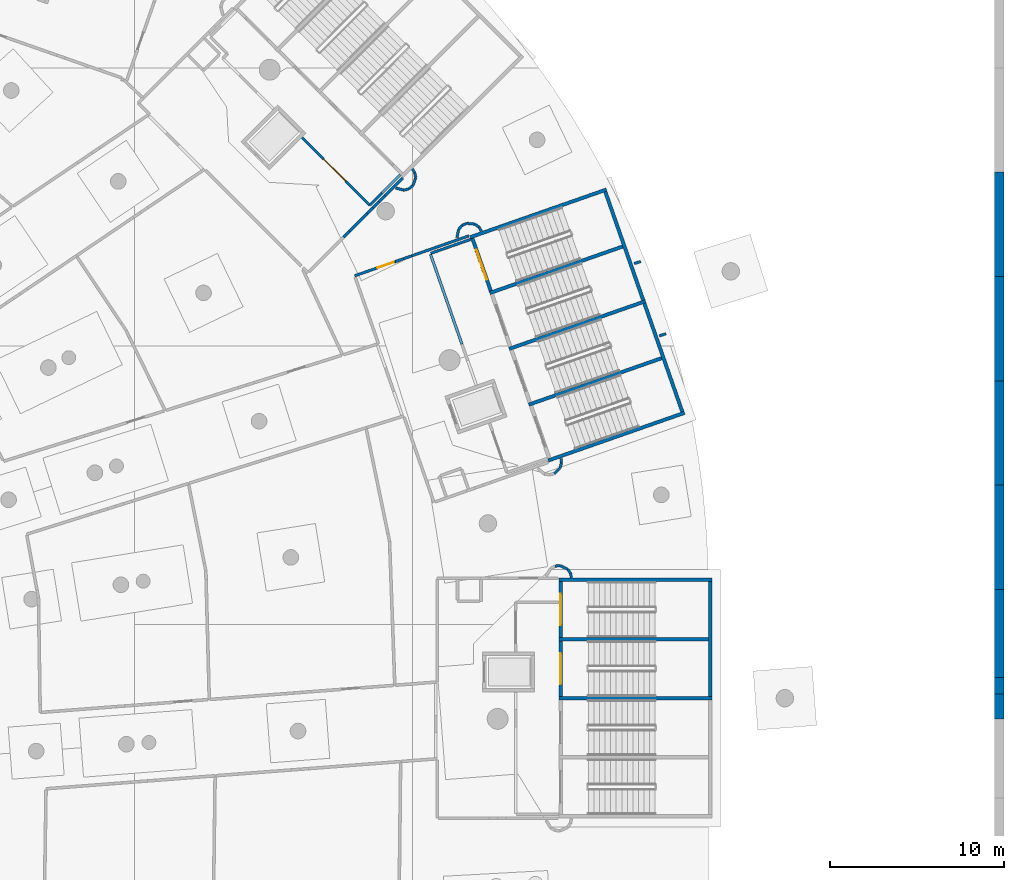
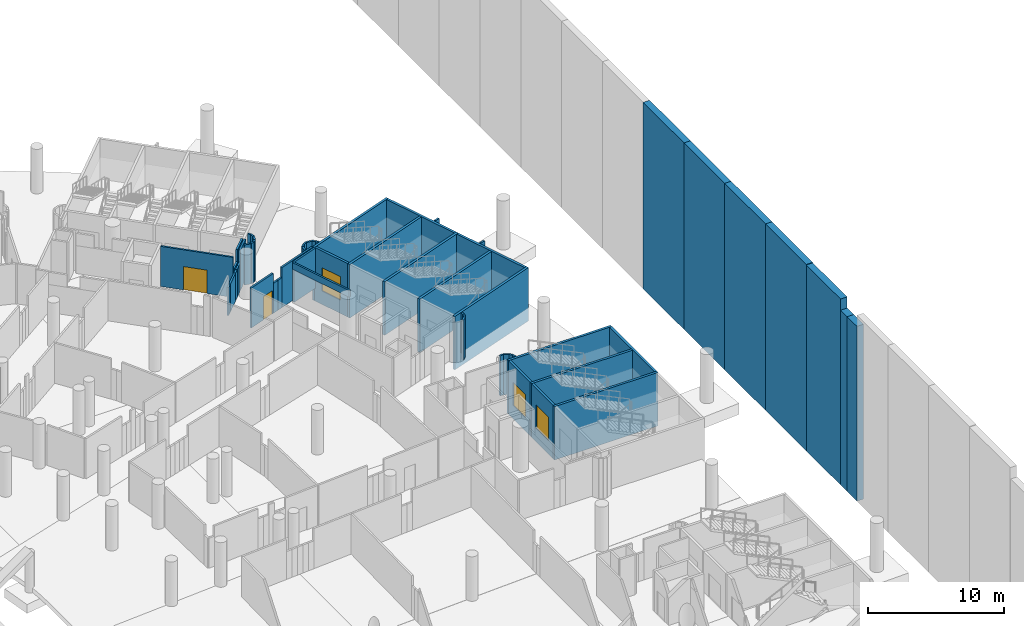
# One storey, part 87 of 142: 57 walls, 5 doors, 5 openings.
"""IFC4 building model written with IfcOpenShell, lengths in metres."""

from ifc_helpers import new_model, si_unit, direction, frame, frame_2d, origin, place, context, subcontext, project, spatial, rectangle, extrude, material, layer, layer_set, type_object, element, fill, save


model = new_model("IFC4")

# Units and contexts
model_context = context("Model", 3, precision=1e-05, world=origin(), true_north=direction((0.0, 1.0)))
body_context = subcontext(model_context, "Body", "Model", "MODEL_VIEW")
ifc_project = project(units=[si_unit("LENGTHUNIT", "METRE"), si_unit("AREAUNIT", "SQUARE_METRE"), si_unit("VOLUMEUNIT", "CUBIC_METRE"), si_unit("PLANEANGLEUNIT", "RADIAN"), si_unit("MASSUNIT", "GRAM", prefix="KILO")], contexts=[model_context])

# Site, building, storey
site_placement = place(None, origin())
site = spatial("IfcSite", under=ifc_project, at=site_placement, CompositionType="ELEMENT")
building_placement = place(site_placement, origin())
building = spatial("IfcBuilding", under=site, at=building_placement, Name="Meseta Stadium", CompositionType="ELEMENT")
storey_placement = place(building_placement, frame((0.0, 0.0, -4.0)))
storey = spatial("IfcBuildingStorey", under=building, at=storey_placement, Name="B1", CompositionType="ELEMENT", Elevation=-4.0)

# Walls
ifc_material_1 = material(Name="Concrete C40/50", Category="concrete")
ifc_layer_1 = layer(ifc_material_1, 0.199951171875)
ifc_layer_set_1 = layer_set([ifc_layer_1], Name="Core divider wall 200")
wall_type_1 = type_object("IfcWallType", Name="Core divider wall 200", PredefinedType="SHEAR", material=ifc_layer_set_1)
wall_1_placement = place(storey_placement, frame((97.199951171875, 47.14990234375, -1.199951171875), z_axis=(0.0, 0.0, 1.0), x_axis=(-1.0, 0.0, 0.0)))
element("IfcWall", 1, at=wall_1_placement, inside=storey, type_object=wall_type_1, Name="Core 05 B1 stair B divider wall", PredefinedType="SHEAR", context=body_context, shape_type="SweptSolid", body=[
    extrude(rectangle(XDim=8.800048828125, YDim=0.199951171875, at=frame_2d((4.39990234375, 0.0))), origin(), (0.0, 0.0, 1.0), 4.800048828125),
])
for number, where, z_axis, x_axis, name in (
    (2, (94.505859375, 63.370849609375, -1.199951171875), (0.0, 0.0, 1.0), (-0.943878073457, -0.330294084791, 0.0), "Core 06 B1 stair A divider wall"),
    (3, (92.260009765625, 69.789306640625, -1.199951171875), (0.0, 0.0, 1.0), (-0.943878073457, -0.330294084791, 0.0), "Core 06 B1 stair B divider wall"),
):
    element("IfcWall", number, at=place(storey_placement, frame(where, z_axis=z_axis, x_axis=x_axis)), inside=storey, type_object=wall_type_1, Name=name, PredefinedType="SHEAR", context=body_context, shape_type="SweptSolid", body=[
        extrude(rectangle(XDim=8.300048828125, YDim=0.199951171875, at=frame_2d((4.14990234375, 0.0))), origin(), (0.0, 0.0, 1.0), 4.800048828125),
    ])
ifc_material_2 = material(Name="Concrete C40/50", Category="concrete")
ifc_layer_2 = layer(ifc_material_2, 0.199951171875)
ifc_layer_set_2 = layer_set([ifc_layer_2], Name="Core shaft wall 200")
wall_type_2 = type_object("IfcWallType", Name="Core shaft wall 200", PredefinedType="SHEAR", material=ifc_layer_set_2)
for number, where, z_axis, x_axis, name in (
    (4, (97.199951171875, 43.75, -1.199951171875), (0.0, 0.0, 1.0), (-1.0, 0.0, 0.0), "Core 05 B1 stair wall shared"),
    (5, (97.199951171875, 50.550048828125, -1.199951171875), (0.0, 0.0, 1.0), (-1.0, 0.0, 0.0), "Core 05 B1 stair wall B-side"),
):
    element("IfcWall", number, at=place(storey_placement, frame(where, z_axis=z_axis, x_axis=x_axis)), inside=storey, type_object=wall_type_2, Name=name, PredefinedType="SHEAR", context=body_context, shape_type="SweptSolid", body=[
        extrude(rectangle(XDim=8.800048828125, YDim=0.199951171875, at=frame_2d((4.39990234375, 0.0))), origin(), (0.0, 0.0, 1.0), 4.800048828125),
    ])
wall_2_placement = place(storey_placement, frame((97.10009765625, 43.85009765625, -1.199951171875), z_axis=(0.0, 0.0, 1.0), x_axis=(0.0, 1.0, 0.0)))
element("IfcWall", 6, at=wall_2_placement, inside=storey, type_object=wall_type_2, Name="Core 05 B1 stair B outer end wall", PredefinedType="SHEAR", context=body_context, shape_type="SweptSolid", body=[
    extrude(rectangle(XDim=6.599853515625, YDim=0.199951171875, at=frame_2d((3.2998046875, 0.0))), origin(), (0.0, 0.0, 1.0), 4.800048828125),
])

# Wall, opening, door
wall_3_placement = place(storey_placement, frame((88.5, 43.85009765625, -1.199951171875), z_axis=(0.0, 0.0, 1.0), x_axis=(0.0, 1.0, 0.0)))
wall_3 = element("IfcWall", 7, at=wall_3_placement, inside=storey, type_object=wall_type_2, Name="Core 05 B1 stair B1 inner end wall", PredefinedType="SHEAR", context=body_context, shape_type="SweptSolid", body=[
    extrude(rectangle(XDim=3.199951171875, YDim=0.199951171875, at=frame_2d((1.60009765625, 0.0))), origin(), (0.0, 0.0, 1.0), 4.800048828125),
])
opening_1_placement = place(wall_3_placement, frame((0.699951171875, 0.0, 1.199951171875)))
opening_1 = element("IfcOpeningElement", 8, at=opening_1_placement, cuts=wall_3, Name="Opening D081", PredefinedType="OPENING", context=body_context, shape_type="SweptSolid", body=[
    extrude(rectangle(XDim=1.800048828125, YDim=2.10009765625, at=frame_2d((0.89990234375, 1.050048828125))), frame((0.0, 0.10986328125, 0.0), z_axis=(0.0, -1.0, 0.0), x_axis=(1.0, 0.0, 0.0)), (0.0, 0.0, 1.0), 0.219970703125),
])
ifc_material_3 = material(Name="Steel", Category="steel")
door_type_1 = type_object("IfcDoorType", Name="Stair door 1800x2100", OperationType="DOUBLE_DOOR_SINGLE_SWING", PredefinedType="DOOR", material=ifc_material_3)
door_1_placement = place(opening_1_placement, origin())
door_1 = element("IfcDoor", 9, at=door_1_placement, inside=storey, type_object=door_type_1, Name="Stair B1 door 05 B1", OperationType="DOUBLE_DOOR_SINGLE_SWING", OverallHeight=2.10009765625, OverallWidth=1.800048828125, PredefinedType="DOOR", context=body_context, shape_type="SweptSolid", body=[
    extrude(rectangle(XDim=1.800048828125, YDim=2.10009765625, at=frame_2d((0.89990234375, 1.050048828125))), frame((0.0, 0.02490234375, 0.0), z_axis=(0.0, -1.0, 0.0), x_axis=(1.0, 0.0, 0.0)), (0.0, 0.0, 1.0), 0.050048828125),
])
fill(opening_1, door_1)

wall_4_placement = place(storey_placement, frame((88.5, 47.25, -1.199951171875), z_axis=(0.0, 0.0, 1.0), x_axis=(0.0, 1.0, 0.0)))
wall_4 = element("IfcWall", 10, at=wall_4_placement, inside=storey, type_object=wall_type_2, Name="Core 05 B1 stair B2 inner end wall", PredefinedType="SHEAR", context=body_context, shape_type="SweptSolid", body=[
    extrude(rectangle(XDim=3.199951171875, YDim=0.199951171875, at=frame_2d((1.60009765625, 0.0))), origin(), (0.0, 0.0, 1.0), 4.800048828125),
])
opening_2_placement = place(wall_4_placement, frame((0.699951171875, 0.0, 1.199951171875)))
opening_2 = element("IfcOpeningElement", 11, at=opening_2_placement, cuts=wall_4, Name="Opening D082", PredefinedType="OPENING", context=body_context, shape_type="SweptSolid", body=[
    extrude(rectangle(XDim=1.800048828125, YDim=2.10009765625, at=frame_2d((0.89990234375, 1.050048828125))), frame((0.0, 0.10986328125, 0.0), z_axis=(0.0, -1.0, 0.0), x_axis=(1.0, 0.0, 0.0)), (0.0, 0.0, 1.0), 0.219970703125),
])
door_2_placement = place(opening_2_placement, origin())
door_2 = element("IfcDoor", 12, at=door_2_placement, inside=storey, type_object=door_type_1, Name="Stair B2 door 05 B1", OperationType="DOUBLE_DOOR_SINGLE_SWING", OverallHeight=2.10009765625, OverallWidth=1.800048828125, PredefinedType="DOOR", context=body_context, shape_type="SweptSolid", body=[
    extrude(rectangle(XDim=1.800048828125, YDim=2.10009765625, at=frame_2d((0.89990234375, 1.050048828125))), frame((0.0, 0.02490234375, 0.0), z_axis=(0.0, -1.0, 0.0), x_axis=(1.0, 0.0, 0.0)), (0.0, 0.0, 1.0), 0.050048828125),
])
fill(opening_2, door_2)

# Walls
for number, where, z_axis, x_axis, name in (
    (13, (95.62890625, 60.16162109375, -1.199951171875), (0.0, 0.0, 1.0), (-0.943887243331, -0.330267878966, 0.0), "Core 06 B1 stair wall A-side"),
    (14, (93.3828125, 66.580078125, -1.199951171875), (0.0, 0.0, 1.0), (-0.943878073457, -0.330294084791, 0.0), "Core 06 B1 stair wall shared"),
    (15, (91.136962890625, 72.998291015625, -1.199951171875), (0.0, 0.0, 1.0), (-0.943887243331, -0.330267878966, 0.0), "Core 06 B1 stair wall B-side"),
):
    element("IfcWall", number, at=place(storey_placement, frame(where, z_axis=z_axis, x_axis=x_axis)), inside=storey, type_object=wall_type_2, Name=name, PredefinedType="SHEAR", context=body_context, shape_type="SweptSolid", body=[
        extrude(rectangle(XDim=8.300048828125, YDim=0.199951171875, at=frame_2d((4.14990234375, 0.0))), origin(), (0.0, 0.0, 1.0), 4.800048828125),
    ])
for number, where, z_axis, x_axis, name in (
    (16, (95.50146484375, 60.222900390625, -1.199951171875), (0.0, 0.0, 1.0), (-0.330286164688, 0.943880844925, 0.0), "Core 06 B1 stair A outer end wall"),
    (17, (93.255615234375, 66.641357421875, -1.199951171875), (0.0, 0.0, 1.0), (-0.330286164688, 0.943880844925, 0.0), "Core 06 B1 stair B outer end wall"),
):
    element("IfcWall", number, at=place(storey_placement, frame(where, z_axis=z_axis, x_axis=x_axis)), inside=storey, type_object=wall_type_2, Name=name, PredefinedType="SHEAR", context=body_context, shape_type="SweptSolid", body=[
        extrude(rectangle(XDim=6.60009765625, YDim=0.199951171875, at=frame_2d((3.300048828125, 0.0))), origin(), (0.0, 0.0, 1.0), 4.800048828125),
    ])

# Wall, opening, door
wall_5_placement = place(storey_placement, frame((84.487060546875, 67.17529296875, -1.199951171875), z_axis=(0.0, 0.0, 1.0), x_axis=(-0.330268863922, 0.943886898693, 0.0)))
wall_5 = element("IfcWall", 18, at=wall_5_placement, inside=storey, type_object=wall_type_2, Name="Core 06 B1 stair B2 inner end wall", PredefinedType="SHEAR", context=body_context, shape_type="SweptSolid", body=[
    extrude(rectangle(XDim=3.2001953125, YDim=0.199951171875, at=frame_2d((1.60009765625, 0.0))), origin(), (0.0, 0.0, 1.0), 4.800048828125),
])
opening_3_placement = place(wall_5_placement, frame((0.699951171875, 0.0, 1.199951171875)))
opening_3 = element("IfcOpeningElement", 19, at=opening_3_placement, cuts=wall_5, Name="Opening D094", PredefinedType="OPENING", context=body_context, shape_type="SweptSolid", body=[
    extrude(rectangle(XDim=1.800048828125, YDim=2.10009765625, at=frame_2d((0.89990234375, 1.050048828125))), frame((0.0, 0.10986328125, 0.0), z_axis=(0.0, -1.0, 0.0), x_axis=(1.0, 0.0, 0.0)), (0.0, 0.0, 1.0), 0.219970703125),
])
door_3_placement = place(opening_3_placement, origin())
door_3 = element("IfcDoor", 20, at=door_3_placement, inside=storey, type_object=door_type_1, Name="Stair B2 door 06 B1", OperationType="DOUBLE_DOOR_SINGLE_SWING", OverallHeight=2.10009765625, OverallWidth=1.800048828125, PredefinedType="DOOR", context=body_context, shape_type="SweptSolid", body=[
    extrude(rectangle(XDim=1.800048828125, YDim=2.10009765625, at=frame_2d((0.89990234375, 1.050048828125))), frame((0.0, 0.02490234375, 0.0), z_axis=(0.0, -1.0, 0.0), x_axis=(1.0, 0.0, 0.0)), (0.0, 0.0, 1.0), 0.050048828125),
])
fill(opening_3, door_3)

# Walls
ifc_material_4 = material(Name="Masonry blockwork", Category="masonry")
ifc_layer_3 = layer(ifc_material_4, 0.14990234375)
ifc_layer_set_3 = layer_set([ifc_layer_3], Name="Partition 150")
wall_type_3 = type_object("IfcWallType", Name="Partition 150", PredefinedType="PARTITIONING", material=ifc_layer_set_3)
wall_6_placement = place(storey_placement, frame((94.185791015625, 64.587890625, 0.0), z_axis=(0.0, 0.0, 1.0), x_axis=(0.954208008675, 0.299143905471, 0.0)))
element("IfcWall", 21, at=wall_6_placement, inside=storey, type_object=wall_type_3, Name="Partition B1 B1-cell04-3-0", PredefinedType="PARTITIONING", context=body_context, shape_type="SweptSolid", body=[
    extrude(rectangle(XDim=0.39990234375, YDim=0.14990234375, at=frame_2d((0.199951171875, 0.0))), origin(), (0.0, 0.0, 1.0), 3.60009765625),
])
wall_7_placement = place(storey_placement, frame((76.01513671875, 70.257080078125, 0.0), z_axis=(0.0, 0.0, 1.0), x_axis=(0.707106781187, 0.707106781187, 0.0)))
element("IfcWall", 22, at=wall_7_placement, inside=storey, type_object=wall_type_3, Name="Partition B1 B1-cell05-3-0", PredefinedType="PARTITIONING", context=body_context, shape_type="SweptSolid", body=[
    extrude(rectangle(XDim=0.481201171875, YDim=0.14990234375, at=frame_2d((0.24072265625, 0.0))), origin(), (0.0, 0.0, 1.0), 2.5),
])
wall_8_placement = place(storey_placement, frame((76.35546875, 70.597412109375, 0.0), z_axis=(0.0, 0.0, 1.0), x_axis=(0.707106781187, 0.707106781187, 0.0)))
element("IfcWall", 23, at=wall_8_placement, inside=storey, type_object=wall_type_3, Name="Partition B1 B1-cell05-3-0", PredefinedType="PARTITIONING", context=body_context, shape_type="SweptSolid", body=[
    extrude(rectangle(XDim=1.443603515625, YDim=0.14990234375, at=frame_2d((0.7216796875, 0.0))), origin(), (0.0, 0.0, 1.0), 2.5),
])
for number, where, z_axis, x_axis, name in (
    (24, (77.376220703125, 71.6181640625, 0.0), (0.0, 0.0, 1.0), (0.707106781187, 0.707106781187, 0.0), "Partition B1 B1-cell05-3-0"),
    (25, (77.716552734375, 71.95849609375, 0.0), (0.0, 0.0, 1.0), (0.707360451756, 0.706853019581, 0.0), "Partition B1 B1-cell05-3-0"),
    (26, (78.056884765625, 72.298583984375, 0.0), (0.0, 0.0, 1.0), (0.706853019581, 0.707360451756, 0.0), "Partition B1 B1-cell05-3-0"),
):
    element("IfcWall", number, at=place(storey_placement, frame(where, z_axis=z_axis, x_axis=x_axis)), inside=storey, type_object=wall_type_3, Name=name, PredefinedType="PARTITIONING", context=body_context, shape_type="SweptSolid", body=[
        extrude(rectangle(XDim=0.481201171875, YDim=0.14990234375, at=frame_2d((0.24072265625, 0.0))), origin(), (0.0, 0.0, 1.0), 2.5),
    ])
wall_9_placement = place(storey_placement, frame((78.39697265625, 72.638916015625, 0.0), z_axis=(0.0, 0.0, 1.0), x_axis=(0.707106781187, 0.707106781187, 0.0)))
element("IfcWall", 27, at=wall_9_placement, inside=storey, type_object=wall_type_3, Name="Partition B1 B1-cell05-3-0", PredefinedType="PARTITIONING", context=body_context, shape_type="SweptSolid", body=[
    extrude(rectangle(XDim=1.44384765625, YDim=0.14990234375, at=frame_2d((0.721923828125, 0.0))), origin(), (0.0, 0.0, 1.0), 3.60009765625),
])
wall_10_placement = place(storey_placement, frame((83.23193359375, 70.33837890625, 0.0), z_axis=(0.0, 0.0, 1.0), x_axis=(-0.943878042103, -0.330294174389, 0.0)))
element("IfcWall", 28, at=wall_10_placement, inside=storey, type_object=wall_type_3, Name="Partition B1 B1-cell05-3-0", PredefinedType="PARTITIONING", context=body_context, shape_type="SweptSolid", body=[
    extrude(rectangle(XDim=3.47998046875, YDim=0.14990234375, at=frame_2d((1.739990234375, 0.0))), origin(), (0.0, 0.0, 1.0), 3.60009765625),
])
for number, where, z_axis, x_axis, name in (
    (29, (79.947265625, 69.18896484375, 0.0), (0.0, 0.0, 1.0), (-0.943812413138, -0.330481661832, 0.0), "Partition B1 B1-cell05-3-0"),
    (30, (79.47802734375, 69.024658203125, 0.0), (0.0, 0.0, 1.0), (-0.943965503635, -0.330044130303, 0.0), "Partition B1 B1-cell05-3-0"),
):
    element("IfcWall", number, at=place(storey_placement, frame(where, z_axis=z_axis, x_axis=x_axis)), inside=storey, type_object=wall_type_3, Name=name, PredefinedType="PARTITIONING", context=body_context, shape_type="SweptSolid", body=[
        extrude(rectangle(XDim=0.4970703125, YDim=0.14990234375, at=frame_2d((0.24853515625, 0.0))), origin(), (0.0, 0.0, 1.0), 2.699951171875),
    ])

# Wall, opening, door
wall_11_placement = place(storey_placement, frame((79.0087890625, 68.860595703125, 0.0), z_axis=(0.0, 0.0, 1.0), x_axis=(-0.943873667714, -0.330306674768, 0.0)))
wall_11 = element("IfcWall", 31, at=wall_11_placement, inside=storey, type_object=wall_type_3, Name="Partition B1 B1-cell05-3-0", PredefinedType="PARTITIONING", context=body_context, shape_type="SweptSolid", body=[
    extrude(rectangle(XDim=2.485595703125, YDim=0.14990234375, at=frame_2d((1.24267578125, 0.0))), origin(), (0.0, 0.0, 1.0), 3.60009765625),
])
opening_4_placement = place(wall_11_placement, frame((0.10009765625, 0.0, 0.0)))
opening_4 = element("IfcOpeningElement", 32, at=opening_4_placement, cuts=wall_11, Name="Opening D450", PredefinedType="OPENING", context=body_context, shape_type="SweptSolid", body=[
    extrude(rectangle(XDim=1.0, YDim=2.10009765625, at=frame_2d((0.5, 1.050048828125))), frame((0.0, 0.0849609375, 0.0), z_axis=(0.0, -1.0, 0.0), x_axis=(1.0, 0.0, 0.0)), (0.0, 0.0, 1.0), 0.169921875),
])
ifc_material_5 = material(Name="Steel", Category="steel")
door_type_2 = type_object("IfcDoorType", Name="Fire door 1000x2100 EI2 60", OperationType="NOTDEFINED", PredefinedType="DOOR", material=ifc_material_5)
door_4_placement = place(opening_4_placement, origin())
door_4 = element("IfcDoor", 33, at=door_4_placement, inside=storey, type_object=door_type_2, Name="Door D450", OperationType="SINGLE_SWING_LEFT", OverallHeight=2.10009765625, OverallWidth=1.0, PredefinedType="DOOR", context=body_context, shape_type="SweptSolid", body=[
    extrude(rectangle(XDim=1.0, YDim=2.10009765625, at=frame_2d((0.5, 1.050048828125))), frame((0.0, 0.02490234375, 0.0), z_axis=(0.0, -1.0, 0.0), x_axis=(1.0, 0.0, 0.0)), (0.0, 0.0, 1.0), 0.050048828125),
])
fill(opening_4, door_4)

# Walls
wall_12_placement = place(storey_placement, frame((93.110595703125, 68.862060546875, 0.0), z_axis=(0.0, 0.0, 1.0), x_axis=(-0.954249797549, -0.29901057486, 0.0)))
element("IfcWall", 34, at=wall_12_placement, inside=storey, type_object=wall_type_3, Name="Partition B1 B1-cell05-3-0", PredefinedType="PARTITIONING", context=body_context, shape_type="SweptSolid", body=[
    extrude(rectangle(XDim=0.396728515625, YDim=0.14990234375, at=frame_2d((0.1982421875, 0.0))), origin(), (0.0, 0.0, 1.0), 3.60009765625),
])
wall_13_placement = place(storey_placement, frame((89.1298828125, 50.678466796875, 0.0), z_axis=(0.0, 0.0, 1.0), x_axis=(-0.231150896285, 0.972917911823, 0.0)))
element("IfcWall", 35, at=wall_13_placement, inside=storey, type_object=wall_type_3, Name="Stair vestibule wall B1 core 05", PredefinedType="PARTITIONING", context=body_context, shape_type="SweptSolid", body=[
    extrude(rectangle(XDim=0.2578125, YDim=0.14990234375, at=frame_2d((0.12890625, 0.0))), origin(), (0.0, 0.0, 1.0), 3.60009765625),
])
wall_14_placement = place(storey_placement, frame((89.0703125, 50.92919921875, 0.0), z_axis=(0.0, 0.0, 1.0), x_axis=(-0.555678694372, 0.831397130511, 0.0)))
element("IfcWall", 36, at=wall_14_placement, inside=storey, type_object=wall_type_3, Name="Stair vestibule wall B1 core 05", PredefinedType="PARTITIONING", context=body_context, shape_type="SweptSolid", body=[
    extrude(rectangle(XDim=0.287841796875, YDim=0.14990234375, at=frame_2d((0.14404296875, 0.0))), origin(), (0.0, 0.0, 1.0), 3.60009765625),
])
wall_15_placement = place(storey_placement, frame((88.910400390625, 51.16845703125, 0.0), z_axis=(0.0, 0.0, 1.0), x_axis=(-0.903893315025, 0.427757963167, 0.0)))
element("IfcWall", 37, at=wall_15_placement, inside=storey, type_object=wall_type_3, Name="Stair vestibule wall B1 core 05", PredefinedType="PARTITIONING", context=body_context, shape_type="SweptSolid", body=[
    extrude(rectangle(XDim=0.4794921875, YDim=0.14990234375, at=frame_2d((0.23974609375, 0.0))), origin(), (0.0, 0.0, 1.0), 3.60009765625),
])
wall_16_placement = place(storey_placement, frame((88.47705078125, 51.37353515625, 0.0), z_axis=(0.0, 0.0, 1.0), x_axis=(-0.995194714408, -0.097915680128, 0.0)))
element("IfcWall", 38, at=wall_16_placement, inside=storey, type_object=wall_type_3, Name="Stair vestibule wall B1 core 05", PredefinedType="PARTITIONING", context=body_context, shape_type="SweptSolid", body=[
    extrude(rectangle(XDim=0.289306640625, YDim=0.14990234375, at=frame_2d((0.14453125, 0.0))), origin(), (0.0, 0.0, 1.0), 3.60009765625),
])
wall_17_placement = place(storey_placement, frame((81.01953125, 69.28857421875, 3.0), z_axis=(0.0, 0.0, 1.0), x_axis=(0.330277083399, -0.943884022633, 0.0)))
element("IfcWall", 39, at=wall_17_placement, inside=storey, type_object=wall_type_3, Name="Stair vestibule wall B1 core 06", PredefinedType="PARTITIONING", context=body_context, shape_type="SweptSolid", body=[
    extrude(rectangle(XDim=5.486328125, YDim=0.14990234375, at=frame_2d((2.7431640625, 0.0))), origin(), (0.0, 0.0, 1.0), 0.60009765625),
])
wall_18_placement = place(storey_placement, frame((83.334716796875, 70.1357421875, 0.0), z_axis=(0.0, 0.0, 1.0), x_axis=(-0.943897507669, -0.330238542598, 0.0)))
element("IfcWall", 40, at=wall_18_placement, inside=storey, type_object=wall_type_3, Name="Stair vestibule wall B1 core 06", PredefinedType="PARTITIONING", context=body_context, shape_type="SweptSolid", body=[
    extrude(rectangle(XDim=2.429931640625, YDim=0.14990234375, at=frame_2d((1.21484375, 0.0))), origin(), (0.0, 0.0, 1.0), 3.60009765625),
])
wall_19_placement = place(storey_placement, frame((88.139404296875, 56.66845703125, 0.0), z_axis=(0.0, 0.0, 1.0), x_axis=(0.712182727258, 0.701994133163, 0.0)))
element("IfcWall", 41, at=wall_19_placement, inside=storey, type_object=wall_type_3, Name="Stair vestibule wall B1 core 06", PredefinedType="PARTITIONING", context=body_context, shape_type="SweptSolid", body=[
    extrude(rectangle(XDim=0.479248046875, YDim=0.14990234375, at=frame_2d((0.23974609375, 0.0))), origin(), (0.0, 0.0, 1.0), 3.60009765625),
])
wall_20_placement = place(storey_placement, frame((88.480712890625, 57.0048828125, 0.0), z_axis=(0.0, 0.0, 1.0), x_axis=(0.24931374241, 0.968422768137, 0.0)))
element("IfcWall", 42, at=wall_20_placement, inside=storey, type_object=wall_type_3, Name="Stair vestibule wall B1 core 06", PredefinedType="PARTITIONING", context=body_context, shape_type="SweptSolid", body=[
    extrude(rectangle(XDim=0.287841796875, YDim=0.14990234375, at=frame_2d((0.14404296875, 0.0))), origin(), (0.0, 0.0, 1.0), 3.60009765625),
])
wall_21_placement = place(storey_placement, frame((88.552490234375, 57.28369140625, 0.0), z_axis=(0.0, 0.0, 1.0), x_axis=(-0.104093648916, 0.9945675001, 0.0)))
element("IfcWall", 43, at=wall_21_placement, inside=storey, type_object=wall_type_3, Name="Stair vestibule wall B1 core 06", PredefinedType="PARTITIONING", context=body_context, shape_type="SweptSolid", body=[
    extrude(rectangle(XDim=0.258056640625, YDim=0.14990234375, at=frame_2d((0.12890625, 0.0))), origin(), (0.0, 0.0, 1.0), 3.60009765625),
])
wall_22_placement = place(storey_placement, frame((83.94921875, 70.619140625, 0.0), z_axis=(0.0, 0.0, 1.0), x_axis=(-0.538650685525, 0.84252919177, 0.0)))
element("IfcWall", 44, at=wall_22_placement, inside=storey, type_object=wall_type_3, Name="Stair vestibule wall B1 core 06", PredefinedType="PARTITIONING", context=body_context, shape_type="SweptSolid", body=[
    extrude(rectangle(XDim=0.2578125, YDim=0.14990234375, at=frame_2d((0.12890625, 0.0))), origin(), (0.0, 0.0, 1.0), 3.60009765625),
])
wall_23_placement = place(storey_placement, frame((83.810302734375, 70.83642578125, 0.0), z_axis=(0.0, 0.0, 1.0), x_axis=(-0.798981038717, 0.601356217039, 0.0)))
element("IfcWall", 45, at=wall_23_placement, inside=storey, type_object=wall_type_3, Name="Stair vestibule wall B1 core 06", PredefinedType="PARTITIONING", context=body_context, shape_type="SweptSolid", body=[
    extrude(rectangle(XDim=0.287841796875, YDim=0.14990234375, at=frame_2d((0.14404296875, 0.0))), origin(), (0.0, 0.0, 1.0), 3.60009765625),
])
wall_24_placement = place(storey_placement, frame((83.580322265625, 71.009521484375, 0.0), z_axis=(0.0, 0.0, 1.0), x_axis=(-0.99448310887, 0.104896835856, 0.0)))
element("IfcWall", 46, at=wall_24_placement, inside=storey, type_object=wall_type_3, Name="Stair vestibule wall B1 core 06", PredefinedType="PARTITIONING", context=body_context, shape_type="SweptSolid", body=[
    extrude(rectangle(XDim=0.4794921875, YDim=0.14990234375, at=frame_2d((0.23974609375, 0.0))), origin(), (0.0, 0.0, 1.0), 3.60009765625),
])
wall_25_placement = place(storey_placement, frame((83.103515625, 71.059814453125, 0.0), z_axis=(0.0, 0.0, 1.0), x_axis=(-0.906893747054, -0.42135938527, 0.0)))
element("IfcWall", 47, at=wall_25_placement, inside=storey, type_object=wall_type_3, Name="Stair vestibule wall B1 core 06", PredefinedType="PARTITIONING", context=body_context, shape_type="SweptSolid", body=[
    extrude(rectangle(XDim=0.2890625, YDim=0.14990234375, at=frame_2d((0.14453125, 0.0))), origin(), (0.0, 0.0, 1.0), 3.60009765625),
])
wall_26_placement = place(storey_placement, frame((82.84130859375, 70.93798828125, 0.0), z_axis=(0.0, 0.0, 1.0), x_axis=(-0.677403687514, -0.735611476353, 0.0)))
element("IfcWall", 48, at=wall_26_placement, inside=storey, type_object=wall_type_3, Name="Stair vestibule wall B1 core 06", PredefinedType="PARTITIONING", context=body_context, shape_type="SweptSolid", body=[
    extrude(rectangle(XDim=0.289306640625, YDim=0.14990234375, at=frame_2d((0.14453125, 0.0))), origin(), (0.0, 0.0, 1.0), 3.60009765625),
])
wall_27_placement = place(storey_placement, frame((82.645263671875, 70.72509765625, 0.0), z_axis=(0.0, 0.0, 1.0), x_axis=(-0.200428150313, -0.979708403844, 0.0)))
element("IfcWall", 49, at=wall_27_placement, inside=storey, type_object=wall_type_3, Name="Stair vestibule wall B1 core 06", PredefinedType="PARTITIONING", context=body_context, shape_type="SweptSolid", body=[
    extrude(rectangle(XDim=0.500732421875, YDim=0.14990234375, at=frame_2d((0.25048828125, 0.0))), origin(), (0.0, 0.0, 1.0), 3.60009765625),
])

# Wall, opening, door
wall_28_placement = place(storey_placement, frame((73.63720703125, 75.99658203125, 0.0), z_axis=(0.0, 0.0, 1.0), x_axis=(0.707128915972, -0.707084645708, 0.0)))
wall_28 = element("IfcWall", 50, at=wall_28_placement, inside=storey, type_object=wall_type_3, Name="Stair vestibule wall B1 core 07", PredefinedType="PARTITIONING", context=body_context, shape_type="SweptSolid", body=[
    extrude(rectangle(XDim=5.514892578125, YDim=0.14990234375, at=frame_2d((2.75732421875, 0.0))), origin(), (0.0, 0.0, 1.0), 3.60009765625),
])
opening_5_placement = place(wall_28_placement, frame((1.75, 0.0, 0.0)))
opening_5 = element("IfcOpeningElement", 51, at=opening_5_placement, cuts=wall_28, Name="Opening D720", PredefinedType="OPENING", context=body_context, shape_type="SweptSolid", body=[
    extrude(rectangle(XDim=1.800048828125, YDim=2.10009765625, at=frame_2d((0.89990234375, 1.050048828125))), frame((0.0, 0.0849609375, 0.0), z_axis=(0.0, -1.0, 0.0), x_axis=(1.0, 0.0, 0.0)), (0.0, 0.0, 1.0), 0.169921875),
])
ifc_material_6 = material(Name="Steel", Category="steel")
door_type_3 = type_object("IfcDoorType", Name="Fire double door 1800x2100 EI2 60", OperationType="DOUBLE_DOOR_SINGLE_SWING", PredefinedType="DOOR", material=ifc_material_6)
door_5_placement = place(opening_5_placement, origin())
door_5 = element("IfcDoor", 52, at=door_5_placement, inside=storey, type_object=door_type_3, Name="Stair vestibule door B1 core 07", OperationType="DOUBLE_DOOR_SINGLE_SWING", OverallHeight=2.10009765625, OverallWidth=1.800048828125, PredefinedType="DOOR", context=body_context, shape_type="SweptSolid", body=[
    extrude(rectangle(XDim=1.800048828125, YDim=2.10009765625, at=frame_2d((0.89990234375, 1.050048828125))), frame((0.0, 0.02490234375, 0.0), z_axis=(0.0, -1.0, 0.0), x_axis=(1.0, 0.0, 0.0)), (0.0, 0.0, 1.0), 0.050048828125),
])
fill(opening_5, door_5)

# Walls
wall_29_placement = place(storey_placement, frame((77.536865234375, 72.09716796875, 0.0), z_axis=(0.0, 0.0, 1.0), x_axis=(0.707106781187, 0.707106781187, 0.0)))
element("IfcWall", 53, at=wall_29_placement, inside=storey, type_object=wall_type_3, Name="Stair vestibule wall B1 core 07", PredefinedType="PARTITIONING", context=body_context, shape_type="SweptSolid", body=[
    extrude(rectangle(XDim=2.46484375, YDim=0.14990234375, at=frame_2d((1.232421875, 0.0))), origin(), (0.0, 0.0, 1.0), 2.5),
])
wall_30_placement = place(storey_placement, frame((78.234130859375, 72.794189453125, 2.5), z_axis=(0.0, 0.0, 1.0), x_axis=(0.707024237934, 0.707189314805, 0.0)))
element("IfcWall", 54, at=wall_30_placement, inside=storey, type_object=wall_type_3, Name="Stair vestibule wall B1 core 07", PredefinedType="PARTITIONING", context=body_context, shape_type="SweptSolid", body=[
    extrude(rectangle(XDim=1.47900390625, YDim=0.14990234375, at=frame_2d((0.739501953125, 0.0))), origin(), (0.0, 0.0, 1.0), 1.10009765625),
])
wall_31_placement = place(storey_placement, frame((79.0263671875, 73.085693359375, 0.0), z_axis=(0.0, 0.0, 1.0), x_axis=(0.969681687009, -0.244371491545, 0.0)))
element("IfcWall", 55, at=wall_31_placement, inside=storey, type_object=wall_type_3, Name="Stair vestibule wall B1 core 07", PredefinedType="PARTITIONING", context=body_context, shape_type="SweptSolid", body=[
    extrude(rectangle(XDim=0.50048828125, YDim=0.14990234375, at=frame_2d((0.250244140625, 0.0))), origin(), (0.0, 0.0, 1.0), 3.60009765625),
])
for number, where, z_axis, x_axis, name in (
    (56, (79.51171875, 72.96337890625, 0.0), (0.0, 0.0, 1.0), (0.956939196296, 0.290288433444, 0.0), "Stair vestibule wall B1 core 07"),
    (57, (79.78857421875, 73.04736328125, 0.0), (0.0, 0.0, 1.0), (0.772903591923, 0.634523472845, 0.0), "Stair vestibule wall B1 core 07"),
):
    element("IfcWall", number, at=place(storey_placement, frame(where, z_axis=z_axis, x_axis=x_axis)), inside=storey, type_object=wall_type_3, Name=name, PredefinedType="PARTITIONING", context=body_context, shape_type="SweptSolid", body=[
        extrude(rectangle(XDim=0.289306640625, YDim=0.14990234375, at=frame_2d((0.14453125, 0.0))), origin(), (0.0, 0.0, 1.0), 3.60009765625),
    ])
wall_32_placement = place(storey_placement, frame((80.01220703125, 73.23095703125, 0.0), z_axis=(0.0, 0.0, 1.0), x_axis=(0.337078177044, 0.941476660656, 0.0)))
element("IfcWall", 58, at=wall_32_placement, inside=storey, type_object=wall_type_3, Name="Stair vestibule wall B1 core 07", PredefinedType="PARTITIONING", context=body_context, shape_type="SweptSolid", body=[
    extrude(rectangle(XDim=0.4794921875, YDim=0.14990234375, at=frame_2d((0.23974609375, 0.0))), origin(), (0.0, 0.0, 1.0), 3.60009765625),
])
wall_33_placement = place(storey_placement, frame((80.173828125, 73.682373046875, 0.0), z_axis=(0.0, 0.0, 1.0), x_axis=(-0.194974845214, 0.9808082431, 0.0)))
element("IfcWall", 59, at=wall_33_placement, inside=storey, type_object=wall_type_3, Name="Stair vestibule wall B1 core 07", PredefinedType="PARTITIONING", context=body_context, shape_type="SweptSolid", body=[
    extrude(rectangle(XDim=0.2880859375, YDim=0.14990234375, at=frame_2d((0.14404296875, 0.0))), origin(), (0.0, 0.0, 1.0), 3.60009765625),
])
wall_34_placement = place(storey_placement, frame((80.11767578125, 73.96484375, 0.0), z_axis=(0.0, 0.0, 1.0), x_axis=(-0.525734867085, 0.850648487644, 0.0)))
element("IfcWall", 60, at=wall_34_placement, inside=storey, type_object=wall_type_3, Name="Stair vestibule wall B1 core 07", PredefinedType="PARTITIONING", context=body_context, shape_type="SweptSolid", body=[
    extrude(rectangle(XDim=0.2578125, YDim=0.14990234375, at=frame_2d((0.12890625, 0.0))), origin(), (0.0, 0.0, 1.0), 3.60009765625),
])
ifc_material_7 = material(Name="Concrete C30/37", Category="concrete")
ifc_layer_4 = layer(ifc_material_7, 0.550048828125)
ifc_layer_set_4 = layer_set([ifc_layer_4], Name="Site retaining wall 550")
wall_type_4 = type_object("IfcWallType", Name="Site retaining wall 550", PredefinedType="SOLIDWALL", material=ifc_layer_set_4)
wall_35_placement = place(storey_placement, frame((113.72509765625, 42.550048828125, -13.0), z_axis=(0.0, 0.0, 1.0), x_axis=(0.0, 1.0, 0.0)))
element("IfcWall", 61, at=wall_35_placement, inside=storey, type_object=wall_type_4, Name="Site retaining wall 84", PredefinedType="SOLIDWALL", context=body_context, shape_type="SweptSolid", body=[
    extrude(rectangle(XDim=1.449951171875, YDim=0.550048828125, at=frame_2d((0.72509765625, 0.0))), origin(), (0.0, 0.0, 1.0), 15.699951171875),
])
wall_36_placement = place(storey_placement, frame((113.72509765625, 44.0, -13.0), z_axis=(0.0, 0.0, 1.0), x_axis=(0.0, 1.0, 0.0)))
element("IfcWall", 62, at=wall_36_placement, inside=storey, type_object=wall_type_4, Name="Site retaining wall 85", PredefinedType="SOLIDWALL", context=body_context, shape_type="SweptSolid", body=[
    extrude(rectangle(XDim=0.949951171875, YDim=0.550048828125, at=frame_2d((0.47509765625, 0.0))), origin(), (0.0, 0.0, 1.0), 15.699951171875),
])
wall_37_placement = place(storey_placement, frame((113.72509765625, 44.949951171875, -13.0), z_axis=(0.0, 0.0, 1.0), x_axis=(0.0, 1.0, 0.0)))
element("IfcWall", 63, at=wall_37_placement, inside=storey, type_object=wall_type_4, Name="Site retaining wall 86", PredefinedType="SOLIDWALL", context=body_context, shape_type="SweptSolid", body=[
    extrude(rectangle(XDim=5.050048828125, YDim=0.550048828125, at=frame_2d((2.52490234375, 0.0))), origin(), (0.0, 0.0, 1.0), 16.699951171875),
])
wall_38_placement = place(storey_placement, frame((113.72509765625, 50.0, -13.0), z_axis=(0.0, 0.0, 1.0), x_axis=(0.0, 1.0, 0.0)))
element("IfcWall", 64, at=wall_38_placement, inside=storey, type_object=wall_type_4, Name="Site retaining wall 87", PredefinedType="SOLIDWALL", context=body_context, shape_type="SweptSolid", body=[
    extrude(rectangle(XDim=5.999755859375, YDim=0.550048828125, at=frame_2d((3.0, 0.0))), origin(), (0.0, 0.0, 1.0), 16.75),
])
for number, where, z_axis, x_axis, name in (
    (65, (113.72509765625, 55.999755859375, -13.0), (0.0, 0.0, 1.0), (0.0, 1.0, 0.0), "Site retaining wall 88"),
    (66, (113.72509765625, 61.999755859375, -13.0), (0.0, 0.0, 1.0), (0.0, 1.0, 0.0), "Site retaining wall 89"),
    (67, (113.72509765625, 67.999755859375, -13.0), (0.0, 0.0, 1.0), (0.0, 1.0, 0.0), "Site retaining wall 90"),
):
    element("IfcWall", number, at=place(storey_placement, frame(where, z_axis=z_axis, x_axis=x_axis)), inside=storey, type_object=wall_type_4, Name=name, PredefinedType="SOLIDWALL", context=body_context, shape_type="SweptSolid", body=[
        extrude(rectangle(XDim=6.0, YDim=0.550048828125, at=frame_2d((3.0, 0.0))), origin(), (0.0, 0.0, 1.0), 16.75),
    ])

save(model, "model.ifc")
